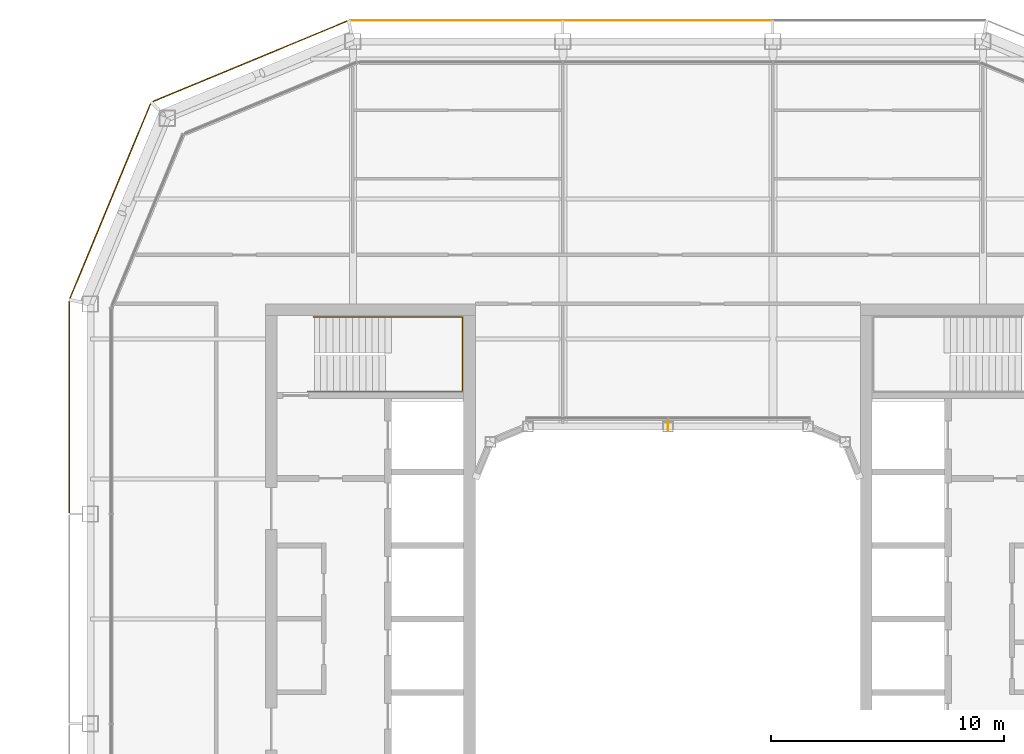
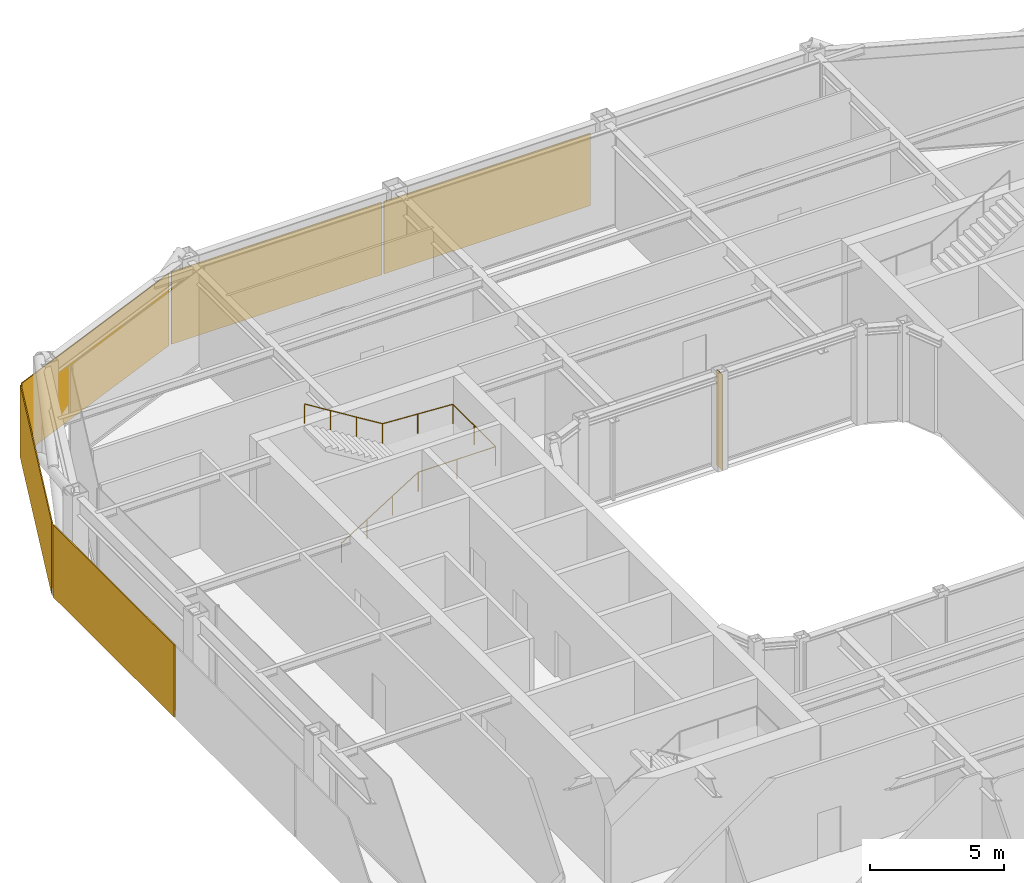
# One storey, part 19 of 21: 5 coverings, 1 railing, 1 shading device.
"""IFC4 building model written with IfcOpenShell, lengths in metres."""

from ifc_helpers import new_model, si_unit, direction, frame, origin, origin_2d, place, context, subcontext, project, spatial, rectangle, circle, extrude, material, layer, layer_set, type_object, element, save


model = new_model("IFC4")

# Units and contexts
model_context = context("Model", 3, precision=1e-05, world=origin(), true_north=direction((0.0, 1.0)))
body_context = subcontext(model_context, "Body", "Model", "MODEL_VIEW")
ifc_project = project(units=[si_unit("LENGTHUNIT", "METRE"), si_unit("AREAUNIT", "SQUARE_METRE"), si_unit("VOLUMEUNIT", "CUBIC_METRE"), si_unit("PLANEANGLEUNIT", "RADIAN"), si_unit("MASSUNIT", "GRAM", prefix="KILO")], contexts=[model_context])

# Site, building, storey
site_placement = place(None, origin())
site = spatial("IfcSite", under=ifc_project, at=site_placement, CompositionType="ELEMENT")
building_placement = place(site_placement, origin())
building = spatial("IfcBuilding", under=site, at=building_placement, Name="Siwar Civic Tower", CompositionType="ELEMENT")
storey_placement = place(building_placement, frame((0.0, 0.0, 334.699951171875)))
storey = spatial("IfcBuildingStorey", under=building, at=storey_placement, Name="L72", CompositionType="ELEMENT", Elevation=334.699951171875)

# Railing
ifc_material_1 = material(Name="Stainless steel", Category="steel")
railing_type = type_object("IfcRailingType", Name="CORE-STAIR-HANDRAIL", PredefinedType="HANDRAIL", material=ifc_material_1)
railing_placement = place(storey_placement, frame((-15.449951171875, 9.758056640625, 0.173095703125)))
element("IfcRailing", 1, at=railing_placement, inside=storey, type_object=railing_type, Name="Stair handrail ST1", PredefinedType="HANDRAIL", context=body_context, shape_type="SweptSolid", body=[
    extrude(circle(Radius=0.02001953125, at=origin_2d()), frame((0.0, 0.0, 0.8798828125), z_axis=(0.847063342986, 0.0, 0.531491950051), x_axis=(0.0, 1.0, 0.0)), (0.0, 0.0, 1.0), 3.90771484375),
    extrude(circle(Radius=0.02001953125, at=origin_2d()), frame((3.31005859375, 0.0, 2.956787109375), z_axis=(1.0, 0.0, 0.0), x_axis=(0.0, 1.0, 0.0)), (0.0, 0.0, 1.0), 3.331787109375),
    extrude(circle(Radius=0.02001953125, at=origin_2d()), frame((6.641845703125, 0.0, 2.956787109375), z_axis=(0.0, 1.0, 0.0), x_axis=(-1.0, 0.0, 0.0)), (0.0, 0.0, 1.0), 3.183837890625),
    extrude(circle(Radius=0.02001953125, at=origin_2d()), frame((6.641845703125, 3.183837890625, 2.956787109375), z_axis=(-0.99837434197, 0.0, 0.056997134106), x_axis=(0.0, -1.0, 0.0)), (0.0, 0.0, 1.0), 3.036865234375),
    extrude(circle(Radius=0.02001953125, at=origin_2d()), frame((3.60986328125, 3.183837890625, 3.1298828125), z_axis=(-0.850606129759, 0.0, 0.525803396734), x_axis=(0.0, -1.0, 0.0)), (0.0, 0.0, 1.0), 3.949951171875),
    extrude(circle(Radius=0.02001953125, at=origin_2d()), origin(), (0.0, 0.0, 1.0), 0.85986328125),
    extrude(circle(Radius=0.02001953125, at=origin_2d()), frame((1.103271484375, 0.0, 0.6923828125)), (0.0, 0.0, 1.0), 0.85986328125),
    extrude(circle(Radius=0.02001953125, at=origin_2d()), frame((2.206787109375, 0.0, 1.384521484375)), (0.0, 0.0, 1.0), 0.85986328125),
    extrude(circle(Radius=0.02001953125, at=origin_2d()), frame((3.31005859375, 0.0, 2.076904296875)), (0.0, 0.0, 1.0), 0.85986328125),
    extrude(circle(Radius=0.02001953125, at=origin_2d()), frame((4.97607421875, 0.0, 2.076904296875)), (0.0, 0.0, 1.0), 0.85986328125),
    extrude(circle(Radius=0.02001953125, at=origin_2d()), frame((6.641845703125, 0.0, 2.076904296875)), (0.0, 0.0, 1.0), 0.85986328125),
    extrude(circle(Radius=0.02001953125, at=origin_2d()), frame((6.641845703125, 1.591796875, 2.076904296875)), (0.0, 0.0, 1.0), 0.85986328125),
    extrude(circle(Radius=0.02001953125, at=origin_2d()), frame((6.641845703125, 3.183837890625, 2.076904296875)), (0.0, 0.0, 1.0), 0.85986328125),
    extrude(circle(Radius=0.02001953125, at=origin_2d()), frame((5.1259765625, 3.183837890625, 2.16357421875)), (0.0, 0.0, 1.0), 0.85986328125),
    extrude(circle(Radius=0.02001953125, at=origin_2d()), frame((3.60986328125, 3.183837890625, 2.25)), (0.0, 0.0, 1.0), 0.85986328125),
    extrude(circle(Radius=0.02001953125, at=origin_2d()), frame((2.489990234375, 3.183837890625, 2.9423828125)), (0.0, 0.0, 1.0), 0.85986328125),
    extrude(circle(Radius=0.02001953125, at=origin_2d()), frame((1.369873046875, 3.183837890625, 3.634521484375)), (0.0, 0.0, 1.0), 0.85986328125),
    extrude(circle(Radius=0.02001953125, at=origin_2d()), frame((0.25, 3.183837890625, 4.326904296875)), (0.0, 0.0, 1.0), 0.85986328125),
])

# Shading device
ifc_material_2 = material(Name="Aluminium 6063-T6", Category="aluminium")
ifc_layer_1 = layer(ifc_material_2, 0.02001953125)
ifc_layer_set_1 = layer_set([ifc_layer_1], Name="Aluminium 6063-T6")
shading_device_type = type_object("IfcShadingDeviceType", Name="ENV-FIN", PredefinedType="JALOUSIE", material=ifc_layer_set_1)
shading_device_placement = place(storey_placement, frame((0.0, 8.27001953125, 0.0), z_axis=(0.0, 0.0, 1.0), x_axis=(-1.0, 0.0, 0.0)))
element("IfcShadingDevice", 2, at=shading_device_placement, inside=storey, type_object=shading_device_type, Name="SUNSHADE fin WN 1", PredefinedType="JALOUSIE", context=body_context, shape_type="SweptSolid", body=[
    extrude(rectangle(XDim=0.02001953125, YDim=0.449951171875, at=origin_2d()), origin(), (0.0, 0.0, 1.0), 4.35009765625),
])

# Coverings
ifc_material_3 = material(Name="Perforated aluminium cassette, pale metal", Category="aluminium")
ifc_layer_2 = layer(ifc_material_3, 0.0400390625)
ifc_layer_set_2 = layer_set([ifc_layer_2], Name="Perforated aluminium cassette, pale metal")
covering_type_1 = type_object("IfcCoveringType", Name="ENV-OUTER SKIN OS-1", PredefinedType="CLADDING", material=ifc_layer_set_2)
covering_1_placement = place(storey_placement, frame((0.0, 25.64990234375, -0.14990234375), z_axis=(0.0, 0.0, 1.0), x_axis=(-1.0, 0.0, 0.0)))
element("IfcCovering", 3, at=covering_1_placement, inside=storey, type_object=covering_type_1, Name="OUTER SKIN OS-1 N 2", PredefinedType="CLADDING", context=body_context, shape_type="SweptSolid", body=[
    extrude(rectangle(XDim=8.89990234375, YDim=0.0400390625, at=origin_2d()), origin(), (0.0, 0.0, 1.0), 3.300048828125),
])
covering_2_placement = place(storey_placement, frame((-9.07958984375, 25.64990234375, -0.14990234375), z_axis=(0.0, 0.0, 1.0), x_axis=(-1.0, 0.0, 0.0)))
element("IfcCovering", 4, at=covering_2_placement, inside=storey, type_object=covering_type_1, Name="OUTER SKIN OS-1 N 3", PredefinedType="CLADDING", context=body_context, shape_type="SweptSolid", body=[
    extrude(rectangle(XDim=9.05908203125, YDim=0.0400390625, at=origin_2d()), origin(), (0.0, 0.0, 1.0), 3.300048828125),
])
covering_3_placement = place(storey_placement, frame((-17.911376953125, 23.89697265625, -0.14990234375), z_axis=(0.0, 0.0, 1.0), x_axis=(-0.923879532511, -0.382683432365, 0.0)))
element("IfcCovering", 5, at=covering_3_placement, inside=storey, type_object=covering_type_1, Name="OUTER SKIN OS-1 NW1 1", PredefinedType="CLADDING", context=body_context, shape_type="SweptSolid", body=[
    extrude(rectangle(XDim=9.022216796875, YDim=0.0400390625, at=origin_2d()), origin(), (0.0, 0.0, 1.0), 3.300048828125),
])
ifc_material_4 = material(Name="Perforated aluminium cassette, pale metal", Category="aluminium")
ifc_layer_3 = layer(ifc_material_4, 0.044921875)
ifc_layer_set_3 = layer_set([ifc_layer_3], Name="Perforated aluminium cassette, pale metal")
covering_type_2 = type_object("IfcCoveringType", Name="ENV-OUTER SKIN OS-2", PredefinedType="CLADDING", material=ifc_layer_set_3)
covering_4_placement = place(storey_placement, frame((-23.89697265625, 17.911376953125, -0.14990234375), z_axis=(0.0, 0.0, 1.0), x_axis=(-0.382683432365, -0.923879532511, 0.0)))
element("IfcCovering", 6, at=covering_4_placement, inside=storey, type_object=covering_type_2, Name="OUTER SKIN OS-2 NW2 1", PredefinedType="CLADDING", context=body_context, shape_type="SweptSolid", body=[
    extrude(rectangle(XDim=9.022216796875, YDim=0.044921875, at=origin_2d()), origin(), (0.0, 0.0, 1.0), 3.300048828125),
])
ifc_material_5 = material(Name="Perforated aluminium cassette, pale metal", Category="aluminium")
ifc_layer_4 = layer(ifc_material_5, 0.050048828125)
ifc_layer_set_4 = layer_set([ifc_layer_4], Name="Perforated aluminium cassette, pale metal")
covering_type_3 = type_object("IfcCoveringType", Name="ENV-OUTER SKIN OS-3", PredefinedType="CLADDING", material=ifc_layer_set_4)
covering_5_placement = place(storey_placement, frame((-25.64990234375, 9.07958984375, -0.14990234375), z_axis=(0.0, 0.0, 1.0), x_axis=(0.0, -1.0, 0.0)))
element("IfcCovering", 7, at=covering_5_placement, inside=storey, type_object=covering_type_3, Name="OUTER SKIN OS-3 W 1", PredefinedType="CLADDING", context=body_context, shape_type="SweptSolid", body=[
    extrude(rectangle(XDim=9.05908203125, YDim=0.050048828125, at=origin_2d()), origin(), (0.0, 0.0, 1.0), 3.300048828125),
])

save(model, "model.ifc")
